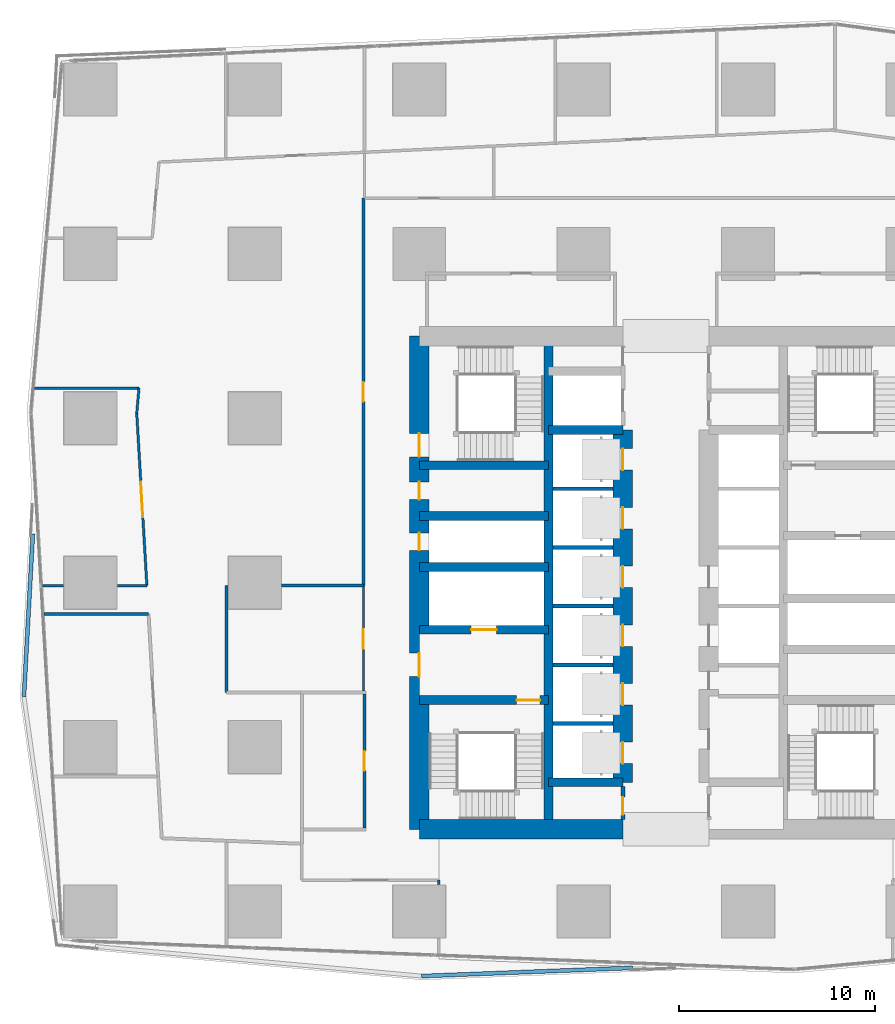
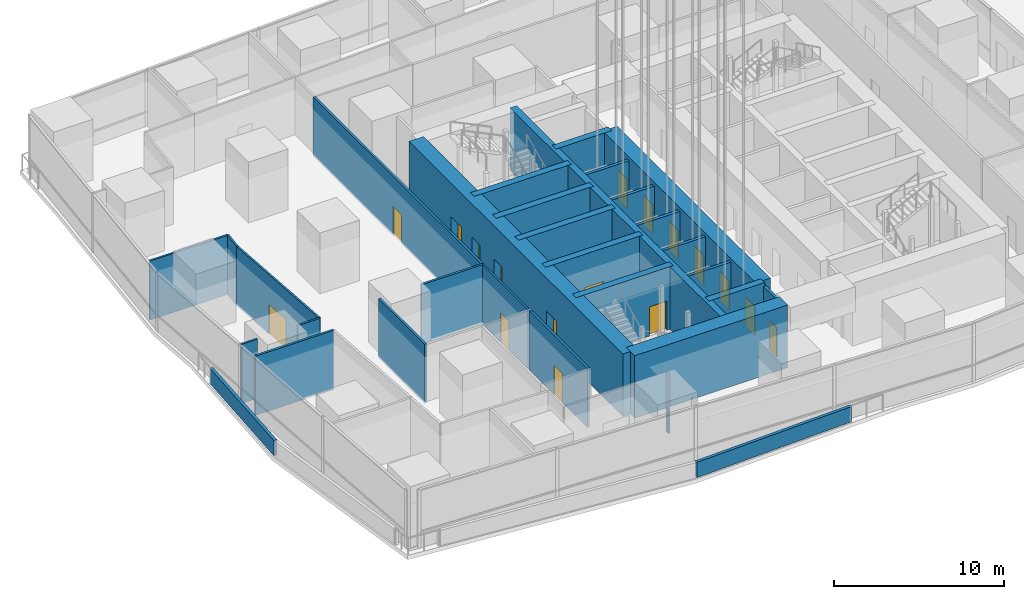
# One storey, part 15 of 39: 31 walls, 17 doors, 17 openings.
"""IFC4 building model written with IfcOpenShell, lengths in metres."""

from ifc_helpers import new_model, si_unit, direction, frame, frame_2d, origin, place, context, subcontext, project, spatial, rectangle, extrude, material, layer, layer_set, type_object, element, fill, save


model = new_model("IFC4")

# Units and contexts
model_context = context("Model", 3, precision=1e-05, world=origin(), true_north=direction((0.0, 1.0)))
body_context = subcontext(model_context, "Body", "Model", "MODEL_VIEW")
ifc_project = project(units=[si_unit("LENGTHUNIT", "METRE"), si_unit("AREAUNIT", "SQUARE_METRE"), si_unit("VOLUMEUNIT", "CUBIC_METRE"), si_unit("PLANEANGLEUNIT", "RADIAN"), si_unit("MASSUNIT", "GRAM", prefix="KILO")], contexts=[model_context])

# Site, building, storey
site_placement = place(None, origin())
site = spatial("IfcSite", under=ifc_project, at=site_placement, CompositionType="ELEMENT")
building_placement = place(site_placement, origin())
building = spatial("IfcBuilding", under=site, at=building_placement, Name="Rekha Terrace Tower", CompositionType="ELEMENT")
storey_placement = place(building_placement, frame((0.0, 0.0, 168.199951171875)))
storey = spatial("IfcBuildingStorey", under=building, at=storey_placement, Name="L42", CompositionType="ELEMENT", Elevation=168.199951171875)

# Walls
ifc_material_1 = material(Name="Concrete M60", Category="concrete")
ifc_layer_1 = layer(ifc_material_1, 0.449951171875)
ifc_layer_set_1 = layer_set([ifc_layer_1], Name="Concrete M60")
wall_type_1 = type_object("IfcWallType", Name="CI3 450 core internal shear wall", PredefinedType="SHEAR", material=ifc_layer_set_1)
wall_1_placement = place(storey_placement, frame((31.800048828125, 21.0, 0.0), z_axis=(0.0, 0.0, 1.0), x_axis=(0.0, 1.0, 0.0)))
element("IfcWall", 1, at=wall_1_placement, inside=storey, type_object=wall_type_1, Name="Core wall X318 L42", PredefinedType="SHEAR", context=body_context, shape_type="SweptSolid", body=[
    extrude(rectangle(XDim=25.199951171875, YDim=0.449951171875, at=frame_2d((12.60009765625, 0.0))), origin(), (0.0, 0.0, 1.0), 4.5),
])
for number, where, z_axis, x_axis, name in (
    (2, (31.800048828125, 23.39990234375, 0.0), (0.0, 0.0, 1.0), (1.0, 0.0, 0.0), "Core wall Y234W L42"),
    (3, (31.800048828125, 41.39990234375, 0.0), (0.0, 0.0, 1.0), (1.0, 0.0, 0.0), "Core wall Y414W L42"),
):
    element("IfcWall", number, at=place(storey_placement, frame(where, z_axis=z_axis, x_axis=x_axis)), inside=storey, type_object=wall_type_1, Name=name, PredefinedType="SHEAR", context=body_context, shape_type="SweptSolid", body=[
        extrude(rectangle(XDim=3.800048828125, YDim=0.449951171875, at=frame_2d((1.89990234375, 0.0))), origin(), (0.0, 0.0, 1.0), 4.5),
    ])

# Wall, opening, door
wall_2_placement = place(storey_placement, frame((25.199951171875, 27.60009765625, 0.0), z_axis=(0.0, 0.0, 1.0), x_axis=(1.0, 0.0, 0.0)))
wall_2 = element("IfcWall", 4, at=wall_2_placement, inside=storey, type_object=wall_type_1, Name="Core wall Y276W L42", PredefinedType="SHEAR", context=body_context, shape_type="SweptSolid", body=[
    extrude(rectangle(XDim=6.60009765625, YDim=0.449951171875, at=frame_2d((3.300048828125, 0.0))), origin(), (0.0, 0.0, 1.0), 4.5),
])
opening_1_placement = place(wall_2_placement, frame((4.97509765625, 0.0, 0.0)))
opening_1 = element("IfcOpeningElement", 5, at=opening_1_placement, cuts=wall_2, Name="Opening D1", PredefinedType="OPENING", context=body_context, shape_type="SweptSolid", body=[
    extrude(rectangle(XDim=1.199951171875, YDim=2.10009765625, at=frame_2d((0.60009765625, 1.050048828125))), frame((0.0, 0.23486328125, 0.0), z_axis=(0.0, -1.0, 0.0), x_axis=(1.0, 0.0, 0.0)), (0.0, 0.0, 1.0), 0.469970703125),
])
ifc_material_2 = material(Name="Steel fire door", Category="steel")
door_type_1 = type_object("IfcDoorType", Name="D1 1200x2100 stair fire door", OperationType="SINGLE_SWING_RIGHT", PredefinedType="DOOR", material=ifc_material_2)
door_1_placement = place(opening_1_placement, origin())
door_1 = element("IfcDoor", 6, at=door_1_placement, inside=storey, type_object=door_type_1, Name="Stair ST1 door L42", OperationType="SINGLE_SWING_RIGHT", OverallHeight=2.10009765625, OverallWidth=1.199951171875, PredefinedType="DOOR", context=body_context, shape_type="SweptSolid", body=[
    extrude(rectangle(XDim=1.199951171875, YDim=2.10009765625, at=frame_2d((0.60009765625, 1.050048828125))), frame((0.0, 0.02490234375, 0.0), z_axis=(0.0, -1.0, 0.0), x_axis=(1.0, 0.0, 0.0)), (0.0, 0.0, 1.0), 0.050048828125),
])
fill(opening_1, door_1)

wall_3_placement = place(storey_placement, frame((25.199951171875, 31.199951171875, 0.0), z_axis=(0.0, 0.0, 1.0), x_axis=(1.0, 0.0, 0.0)))
wall_3 = element("IfcWall", 7, at=wall_3_placement, inside=storey, type_object=wall_type_1, Name="Core wall Y312W L42", PredefinedType="SHEAR", context=body_context, shape_type="SweptSolid", body=[
    extrude(rectangle(XDim=6.60009765625, YDim=0.449951171875, at=frame_2d((3.300048828125, 0.0))), origin(), (0.0, 0.0, 1.0), 4.5),
])
opening_2_placement = place(wall_3_placement, frame((2.64990234375, 0.0, 0.0)))
opening_2 = element("IfcOpeningElement", 8, at=opening_2_placement, cuts=wall_3, Name="Opening LD2", PredefinedType="OPENING", context=body_context, shape_type="SweptSolid", body=[
    extrude(rectangle(XDim=1.300048828125, YDim=2.10009765625, at=frame_2d((0.64990234375, 1.050048828125))), frame((0.0, 0.23486328125, 0.0), z_axis=(0.0, -1.0, 0.0), x_axis=(1.0, 0.0, 0.0)), (0.0, 0.0, 1.0), 0.469970703125),
])
ifc_material_3 = material(Name="Stainless steel sliding landing door", Category="steel")
door_type_2 = type_object("IfcDoorType", Name="LD2 1300x2100 fire lift landing door", OperationType="SLIDING_TO_LEFT", PredefinedType="USERDEFINED", material=ifc_material_3)
door_2_placement = place(opening_2_placement, origin())
door_2 = element("IfcDoor", 9, at=door_2_placement, inside=storey, type_object=door_type_2, Name="Lift FL1 landing door L42", ObjectType="LIFT LANDING DOOR", OperationType="SLIDING_TO_LEFT", OverallHeight=2.10009765625, OverallWidth=1.300048828125, PredefinedType="USERDEFINED", context=body_context, shape_type="SweptSolid", body=[
    extrude(rectangle(XDim=1.300048828125, YDim=2.10009765625, at=frame_2d((0.64990234375, 1.050048828125))), frame((0.0, 0.02490234375, 0.0), z_axis=(0.0, -1.0, 0.0), x_axis=(1.0, 0.0, 0.0)), (0.0, 0.0, 1.0), 0.050048828125),
])
fill(opening_2, door_2)

# Walls
for number, where, z_axis, x_axis, name in (
    (10, (25.199951171875, 34.39990234375, 0.0), (0.0, 0.0, 1.0), (1.0, 0.0, 0.0), "Core wall Y344W L42"),
    (11, (25.199951171875, 37.0, 0.0), (0.0, 0.0, 1.0), (1.0, 0.0, 0.0), "Core wall Y370W L42"),
    (12, (25.199951171875, 39.60009765625, 0.0), (0.0, 0.0, 1.0), (1.0, 0.0, 0.0), "Core wall Y396W L42"),
):
    element("IfcWall", number, at=place(storey_placement, frame(where, z_axis=z_axis, x_axis=x_axis)), inside=storey, type_object=wall_type_1, Name=name, PredefinedType="SHEAR", context=body_context, shape_type="SweptSolid", body=[
        extrude(rectangle(XDim=6.60009765625, YDim=0.449951171875, at=frame_2d((3.300048828125, 0.0))), origin(), (0.0, 0.0, 1.0), 4.5),
    ])

# Wall, openings, doors
ifc_layer_2 = layer(ifc_material_1, 1.0)
ifc_layer_set_2 = layer_set([ifc_layer_2], Name="Concrete M60")
wall_type_2 = type_object("IfcWallType", Name="LW3 1000 core lobby wall at an outrigger level", PredefinedType="SHEAR", material=ifc_layer_set_2)
wall_4_placement = place(storey_placement, frame((35.60009765625, 23.39990234375, 0.0), z_axis=(0.0, 0.0, 1.0), x_axis=(0.0, 1.0, 0.0)))
wall_4 = element("IfcWall", 13, at=wall_4_placement, inside=storey, type_object=wall_type_2, Name="Core wall X356 L42", PredefinedType="SHEAR", context=body_context, shape_type="SweptSolid", body=[
    extrude(rectangle(XDim=18.0, YDim=1.0, at=frame_2d((9.0, 0.0))), origin(), (0.0, 0.0, 1.0), 4.5),
])
opening_3_placement = place(wall_4_placement, frame((0.949951171875, 0.0, 0.0)))
opening_3 = element("IfcOpeningElement", 14, at=opening_3_placement, cuts=wall_4, Name="Opening LD1", PredefinedType="OPENING", context=body_context, shape_type="SweptSolid", body=[
    extrude(rectangle(XDim=1.10009765625, YDim=2.10009765625, at=frame_2d((0.550048828125, 1.050048828125))), frame((0.0, 0.510009765625, 0.0), z_axis=(0.0, -1.0, 0.0), x_axis=(1.0, 0.0, 0.0)), (0.0, 0.0, 1.0), 1.02001953125),
])
opening_4_placement = place(wall_4_placement, frame((3.949951171875, 0.0, 0.0)))
opening_4 = element("IfcOpeningElement", 15, at=opening_4_placement, cuts=wall_4, Name="Opening LD1", PredefinedType="OPENING", context=body_context, shape_type="SweptSolid", body=[
    extrude(rectangle(XDim=1.10009765625, YDim=2.10009765625, at=frame_2d((0.550048828125, 1.050048828125))), frame((0.0, 0.510009765625, 0.0), z_axis=(0.0, -1.0, 0.0), x_axis=(1.0, 0.0, 0.0)), (0.0, 0.0, 1.0), 1.02001953125),
])
opening_5_placement = place(wall_4_placement, frame((6.949951171875, 0.0, 0.0)))
opening_5 = element("IfcOpeningElement", 16, at=opening_5_placement, cuts=wall_4, Name="Opening LD1", PredefinedType="OPENING", context=body_context, shape_type="SweptSolid", body=[
    extrude(rectangle(XDim=1.10009765625, YDim=2.10009765625, at=frame_2d((0.550048828125, 1.050048828125))), frame((0.0, 0.510009765625, 0.0), z_axis=(0.0, -1.0, 0.0), x_axis=(1.0, 0.0, 0.0)), (0.0, 0.0, 1.0), 1.02001953125),
])
opening_6_placement = place(wall_4_placement, frame((9.949951171875, 0.0, 0.0)))
opening_6 = element("IfcOpeningElement", 17, at=opening_6_placement, cuts=wall_4, Name="Opening LD1", PredefinedType="OPENING", context=body_context, shape_type="SweptSolid", body=[
    extrude(rectangle(XDim=1.10009765625, YDim=2.10009765625, at=frame_2d((0.550048828125, 1.050048828125))), frame((0.0, 0.510009765625, 0.0), z_axis=(0.0, -1.0, 0.0), x_axis=(1.0, 0.0, 0.0)), (0.0, 0.0, 1.0), 1.02001953125),
])
opening_7_placement = place(wall_4_placement, frame((12.949951171875, 0.0, 0.0)))
opening_7 = element("IfcOpeningElement", 18, at=opening_7_placement, cuts=wall_4, Name="Opening LD1", PredefinedType="OPENING", context=body_context, shape_type="SweptSolid", body=[
    extrude(rectangle(XDim=1.10009765625, YDim=2.10009765625, at=frame_2d((0.550048828125, 1.050048828125))), frame((0.0, 0.510009765625, 0.0), z_axis=(0.0, -1.0, 0.0), x_axis=(1.0, 0.0, 0.0)), (0.0, 0.0, 1.0), 1.02001953125),
])
opening_8_placement = place(wall_4_placement, frame((15.949951171875, 0.0, 0.0)))
opening_8 = element("IfcOpeningElement", 19, at=opening_8_placement, cuts=wall_4, Name="Opening LD1", PredefinedType="OPENING", context=body_context, shape_type="SweptSolid", body=[
    extrude(rectangle(XDim=1.10009765625, YDim=2.10009765625, at=frame_2d((0.550048828125, 1.050048828125))), frame((0.0, 0.510009765625, 0.0), z_axis=(0.0, -1.0, 0.0), x_axis=(1.0, 0.0, 0.0)), (0.0, 0.0, 1.0), 1.02001953125),
])
door_type_3 = type_object("IfcDoorType", Name="LD1 1100x2100 lift landing door", OperationType="SLIDING_TO_LEFT", PredefinedType="USERDEFINED", material=ifc_material_3)
door_3_placement = place(opening_3_placement, origin())
door_3 = element("IfcDoor", 20, at=door_3_placement, inside=storey, type_object=door_type_3, Name="Lift C1 landing door L42", ObjectType="LIFT LANDING DOOR", OperationType="SLIDING_TO_LEFT", OverallHeight=2.10009765625, OverallWidth=1.10009765625, PredefinedType="USERDEFINED", context=body_context, shape_type="SweptSolid", body=[
    extrude(rectangle(XDim=1.10009765625, YDim=2.10009765625, at=frame_2d((0.550048828125, 1.050048828125))), frame((0.0, 0.02490234375, 0.0), z_axis=(0.0, -1.0, 0.0), x_axis=(1.0, 0.0, 0.0)), (0.0, 0.0, 1.0), 0.050048828125),
])
fill(opening_3, door_3)
door_4_placement = place(opening_4_placement, origin())
door_4 = element("IfcDoor", 21, at=door_4_placement, inside=storey, type_object=door_type_3, Name="Lift C2 landing door L42", ObjectType="LIFT LANDING DOOR", OperationType="SLIDING_TO_LEFT", OverallHeight=2.10009765625, OverallWidth=1.10009765625, PredefinedType="USERDEFINED", context=body_context, shape_type="SweptSolid", body=[
    extrude(rectangle(XDim=1.10009765625, YDim=2.10009765625, at=frame_2d((0.550048828125, 1.050048828125))), frame((0.0, 0.02490234375, 0.0), z_axis=(0.0, -1.0, 0.0), x_axis=(1.0, 0.0, 0.0)), (0.0, 0.0, 1.0), 0.050048828125),
])
fill(opening_4, door_4)
door_5_placement = place(opening_5_placement, origin())
door_5 = element("IfcDoor", 22, at=door_5_placement, inside=storey, type_object=door_type_3, Name="Lift C3 landing door L42", ObjectType="LIFT LANDING DOOR", OperationType="SLIDING_TO_LEFT", OverallHeight=2.10009765625, OverallWidth=1.10009765625, PredefinedType="USERDEFINED", context=body_context, shape_type="SweptSolid", body=[
    extrude(rectangle(XDim=1.10009765625, YDim=2.10009765625, at=frame_2d((0.550048828125, 1.050048828125))), frame((0.0, 0.02490234375, 0.0), z_axis=(0.0, -1.0, 0.0), x_axis=(1.0, 0.0, 0.0)), (0.0, 0.0, 1.0), 0.050048828125),
])
fill(opening_5, door_5)
door_6_placement = place(opening_6_placement, origin())
door_6 = element("IfcDoor", 23, at=door_6_placement, inside=storey, type_object=door_type_3, Name="Lift C4 landing door L42", ObjectType="LIFT LANDING DOOR", OperationType="SLIDING_TO_LEFT", OverallHeight=2.10009765625, OverallWidth=1.10009765625, PredefinedType="USERDEFINED", context=body_context, shape_type="SweptSolid", body=[
    extrude(rectangle(XDim=1.10009765625, YDim=2.10009765625, at=frame_2d((0.550048828125, 1.050048828125))), frame((0.0, 0.02490234375, 0.0), z_axis=(0.0, -1.0, 0.0), x_axis=(1.0, 0.0, 0.0)), (0.0, 0.0, 1.0), 0.050048828125),
])
fill(opening_6, door_6)
door_7_placement = place(opening_7_placement, origin())
door_7 = element("IfcDoor", 24, at=door_7_placement, inside=storey, type_object=door_type_3, Name="Lift C5 landing door L42", ObjectType="LIFT LANDING DOOR", OperationType="SLIDING_TO_LEFT", OverallHeight=2.10009765625, OverallWidth=1.10009765625, PredefinedType="USERDEFINED", context=body_context, shape_type="SweptSolid", body=[
    extrude(rectangle(XDim=1.10009765625, YDim=2.10009765625, at=frame_2d((0.550048828125, 1.050048828125))), frame((0.0, 0.02490234375, 0.0), z_axis=(0.0, -1.0, 0.0), x_axis=(1.0, 0.0, 0.0)), (0.0, 0.0, 1.0), 0.050048828125),
])
fill(opening_7, door_7)
door_8_placement = place(opening_8_placement, origin())
door_8 = element("IfcDoor", 25, at=door_8_placement, inside=storey, type_object=door_type_3, Name="Lift C6 landing door L42", ObjectType="LIFT LANDING DOOR", OperationType="SLIDING_TO_LEFT", OverallHeight=2.10009765625, OverallWidth=1.10009765625, PredefinedType="USERDEFINED", context=body_context, shape_type="SweptSolid", body=[
    extrude(rectangle(XDim=1.10009765625, YDim=2.10009765625, at=frame_2d((0.550048828125, 1.050048828125))), frame((0.0, 0.02490234375, 0.0), z_axis=(0.0, -1.0, 0.0), x_axis=(1.0, 0.0, 0.0)), (0.0, 0.0, 1.0), 0.050048828125),
])
fill(opening_8, door_8)

# Walls
ifc_material_4 = material(Name="Concrete M40", Category="concrete")
ifc_layer_3 = layer(ifc_material_4, 0.199951171875)
ifc_layer_set_3 = layer_set([ifc_layer_3], Name="Concrete M40")
wall_type_3 = type_object("IfcWallType", Name="PP1 parapet wall 200", PredefinedType="PARAPET", material=ifc_layer_set_3)
wall_5_placement = place(storey_placement, frame((5.456787109375, 36.095947265625, 0.0), z_axis=(0.0, 0.0, 1.0), x_axis=(-0.05473645857, -0.998500836306, 0.0)))
element("IfcWall", 26, at=wall_5_placement, inside=storey, type_object=wall_type_3, Name="Ledge parapet", PredefinedType="PARAPET", context=body_context, shape_type="SweptSolid", body=[
    extrude(rectangle(XDim=8.331787109375, YDim=0.199951171875, at=frame_2d((4.166015625, 0.0))), origin(), (0.0, 0.0, 1.0), 1.10009765625),
])
wall_6_placement = place(storey_placement, frame((25.3251953125, 13.500244140625, 0.0), z_axis=(0.0, 0.0, 1.0), x_axis=(0.999243289586, 0.03889534955, 0.0)))
element("IfcWall", 27, at=wall_6_placement, inside=storey, type_object=wall_type_3, Name="Ledge parapet", PredefinedType="PARAPET", context=body_context, shape_type="SweptSolid", body=[
    extrude(rectangle(XDim=10.77099609375, YDim=0.199951171875, at=frame_2d((5.385498046875, 0.0))), origin(), (0.0, 0.0, 1.0), 1.10009765625),
])
ifc_layer_4 = layer(ifc_material_1, 1.0)
ifc_layer_set_4 = layer_set([ifc_layer_4], Name="Concrete M60")
wall_type_4 = type_object("IfcWallType", Name="SW3 1000 core outer shear wall", PredefinedType="SHEAR", material=ifc_layer_set_4)
wall_7_placement = place(storey_placement, frame((25.199951171875, 21.0, 0.0), z_axis=(0.0, 0.0, 1.0), x_axis=(1.0, 0.0, 0.0)))
element("IfcWall", 28, at=wall_7_placement, inside=storey, type_object=wall_type_4, Name="Core wall S1 L42", PredefinedType="SHEAR", context=body_context, shape_type="SweptSolid", body=[
    extrude(rectangle(XDim=10.400146484375, YDim=1.0, at=frame_2d((5.2001953125, 0.0))), origin(), (0.0, 0.0, 1.0), 4.5),
])

# Wall, openings, doors
wall_8_placement = place(storey_placement, frame((25.199951171875, 21.0, 0.0), z_axis=(0.0, 0.0, 1.0), x_axis=(0.0, 1.0, 0.0)))
wall_8 = element("IfcWall", 29, at=wall_8_placement, inside=storey, type_object=wall_type_4, Name="Core wall W L42", PredefinedType="SHEAR", context=body_context, shape_type="SweptSolid", body=[
    extrude(rectangle(XDim=25.199951171875, YDim=1.0, at=frame_2d((12.60009765625, 0.0))), origin(), (0.0, 0.0, 1.0), 4.5),
])
opening_9_placement = place(wall_8_placement, frame((7.800048828125, 0.0, 0.0)))
opening_9 = element("IfcOpeningElement", 30, at=opening_9_placement, cuts=wall_8, Name="Opening D2", PredefinedType="OPENING", context=body_context, shape_type="SweptSolid", body=[
    extrude(rectangle(XDim=1.199951171875, YDim=2.10009765625, at=frame_2d((0.60009765625, 1.050048828125))), frame((0.0, 0.510009765625, 0.0), z_axis=(0.0, -1.0, 0.0), x_axis=(1.0, 0.0, 0.0)), (0.0, 0.0, 1.0), 1.02001953125),
])
opening_10_placement = place(wall_8_placement, frame((14.25, 0.0, 0.0)))
opening_10 = element("IfcOpeningElement", 31, at=opening_10_placement, cuts=wall_8, Name="Opening D5", PredefinedType="OPENING", context=body_context, shape_type="SweptSolid", body=[
    extrude(rectangle(XDim=0.89990234375, YDim=2.10009765625, at=frame_2d((0.449951171875, 1.050048828125))), frame((0.0, 0.510009765625, 0.0), z_axis=(0.0, -1.0, 0.0), x_axis=(1.0, 0.0, 0.0)), (0.0, 0.0, 1.0), 1.02001953125),
])
opening_11_placement = place(wall_8_placement, frame((16.85009765625, 0.0, 0.0)))
opening_11 = element("IfcOpeningElement", 32, at=opening_11_placement, cuts=wall_8, Name="Opening D5", PredefinedType="OPENING", context=body_context, shape_type="SweptSolid", body=[
    extrude(rectangle(XDim=0.89990234375, YDim=2.10009765625, at=frame_2d((0.449951171875, 1.050048828125))), frame((0.0, 0.510009765625, 0.0), z_axis=(0.0, -1.0, 0.0), x_axis=(1.0, 0.0, 0.0)), (0.0, 0.0, 1.0), 1.02001953125),
])
opening_12_placement = place(wall_8_placement, frame((19.02490234375, 0.0, 0.0)))
opening_12 = element("IfcOpeningElement", 33, at=opening_12_placement, cuts=wall_8, Name="Opening D1", PredefinedType="OPENING", context=body_context, shape_type="SweptSolid", body=[
    extrude(rectangle(XDim=1.199951171875, YDim=2.10009765625, at=frame_2d((0.60009765625, 1.050048828125))), frame((0.0, 0.510009765625, 0.0), z_axis=(0.0, -1.0, 0.0), x_axis=(1.0, 0.0, 0.0)), (0.0, 0.0, 1.0), 1.02001953125),
])
door_9_placement = place(opening_12_placement, origin())
door_9 = element("IfcDoor", 34, at=door_9_placement, inside=storey, type_object=door_type_1, Name="Stair ST4 door L42", OperationType="SINGLE_SWING_RIGHT", OverallHeight=2.10009765625, OverallWidth=1.199951171875, PredefinedType="DOOR", context=body_context, shape_type="SweptSolid", body=[
    extrude(rectangle(XDim=1.199951171875, YDim=2.10009765625, at=frame_2d((0.60009765625, 1.050048828125))), frame((0.0, 0.02490234375, 0.0), z_axis=(0.0, -1.0, 0.0), x_axis=(1.0, 0.0, 0.0)), (0.0, 0.0, 1.0), 0.050048828125),
])
fill(opening_12, door_9)
door_type_4 = type_object("IfcDoorType", Name="D2 1200x2100 firefighting lobby door", OperationType="SINGLE_SWING_LEFT", PredefinedType="DOOR", material=ifc_material_2)
door_10_placement = place(opening_9_placement, origin())
door_10 = element("IfcDoor", 35, at=door_10_placement, inside=storey, type_object=door_type_4, Name="Door flb1 L42", OperationType="SINGLE_SWING_LEFT", OverallHeight=2.10009765625, OverallWidth=1.199951171875, PredefinedType="DOOR", context=body_context, shape_type="SweptSolid", body=[
    extrude(rectangle(XDim=1.199951171875, YDim=2.10009765625, at=frame_2d((0.60009765625, 1.050048828125))), frame((0.0, 0.02490234375, 0.0), z_axis=(0.0, -1.0, 0.0), x_axis=(1.0, 0.0, 0.0)), (0.0, 0.0, 1.0), 0.050048828125),
])
fill(opening_9, door_10)
door_type_5 = type_object("IfcDoorType", Name="D5 900x2100 riser access door", OperationType="SINGLE_SWING_LEFT", PredefinedType="DOOR", material=ifc_material_2)
door_11_placement = place(opening_10_placement, origin())
door_11 = element("IfcDoor", 36, at=door_11_placement, inside=storey, type_object=door_type_5, Name="Door rs1 L42", OperationType="SINGLE_SWING_LEFT", OverallHeight=2.10009765625, OverallWidth=0.89990234375, PredefinedType="DOOR", context=body_context, shape_type="SweptSolid", body=[
    extrude(rectangle(XDim=0.89990234375, YDim=2.10009765625, at=frame_2d((0.449951171875, 1.050048828125))), frame((0.0, 0.02490234375, 0.0), z_axis=(0.0, -1.0, 0.0), x_axis=(1.0, 0.0, 0.0)), (0.0, 0.0, 1.0), 0.050048828125),
])
fill(opening_10, door_11)
door_12_placement = place(opening_11_placement, origin())
door_12 = element("IfcDoor", 37, at=door_12_placement, inside=storey, type_object=door_type_5, Name="Door elw L42", OperationType="SINGLE_SWING_LEFT", OverallHeight=2.10009765625, OverallWidth=0.89990234375, PredefinedType="DOOR", context=body_context, shape_type="SweptSolid", body=[
    extrude(rectangle(XDim=0.89990234375, YDim=2.10009765625, at=frame_2d((0.449951171875, 1.050048828125))), frame((0.0, 0.02490234375, 0.0), z_axis=(0.0, -1.0, 0.0), x_axis=(1.0, 0.0, 0.0)), (0.0, 0.0, 1.0), 0.050048828125),
])
fill(opening_11, door_12)

# Wall, opening, door
ifc_material_5 = material(Name="Concrete block masonry, 1 hour", Category="masonry")
ifc_layer_5 = layer(ifc_material_5, 0.14990234375)
ifc_layer_set_5 = layer_set([ifc_layer_5], Name="Concrete block masonry, 1 hour")
wall_type_5 = type_object("IfcWallType", Name="WP2 150 tenancy partition", PredefinedType="PARTITIONING", material=ifc_layer_set_5)
wall_9_placement = place(storey_placement, frame((22.39990234375, 21.074951171875, 0.0), z_axis=(0.0, 0.0, 1.0), x_axis=(0.0, 1.0, 0.0)))
wall_9 = element("IfcWall", 38, at=wall_9_placement, inside=storey, type_object=wall_type_5, Name="Men's WC wall L42", PredefinedType="PARTITIONING", context=body_context, shape_type="SweptSolid", body=[
    extrude(rectangle(XDim=6.85009765625, YDim=0.14990234375, at=frame_2d((3.425048828125, 0.0))), origin(), (0.0, 0.0, 1.0), 4.25),
])
opening_13_placement = place(wall_9_placement, frame((2.925048828125, 0.0, 0.0)))
opening_13 = element("IfcOpeningElement", 39, at=opening_13_placement, cuts=wall_9, Name="Opening D3", PredefinedType="OPENING", context=body_context, shape_type="SweptSolid", body=[
    extrude(rectangle(XDim=1.0, YDim=2.10009765625, at=frame_2d((0.5, 1.050048828125))), frame((0.0, 0.0849609375, 0.0), z_axis=(0.0, -1.0, 0.0), x_axis=(1.0, 0.0, 0.0)), (0.0, 0.0, 1.0), 0.169921875),
])
ifc_material_6 = material(Name="Laminated timber fire door", Category="wood")
door_type_6 = type_object("IfcDoorType", Name="D3 1000x2100 WC door", OperationType="SINGLE_SWING_LEFT", PredefinedType="DOOR", material=ifc_material_6)
door_13_placement = place(opening_13_placement, origin())
door_13 = element("IfcDoor", 40, at=door_13_placement, inside=storey, type_object=door_type_6, Name="Door men's wc L42", OperationType="SINGLE_SWING_LEFT", OverallHeight=2.10009765625, OverallWidth=1.0, PredefinedType="DOOR", context=body_context, shape_type="SweptSolid", body=[
    extrude(rectangle(XDim=1.0, YDim=2.10009765625, at=frame_2d((0.5, 1.050048828125))), frame((0.0, 0.02490234375, 0.0), z_axis=(0.0, -1.0, 0.0), x_axis=(1.0, 0.0, 0.0)), (0.0, 0.0, 1.0), 0.050048828125),
])
fill(opening_13, door_13)

wall_10_placement = place(storey_placement, frame((22.35009765625, 53.25, 0.0), z_axis=(0.0, 0.0, 1.0), x_axis=(0.0, -1.0, 0.0)))
wall_10 = element("IfcWall", 41, at=wall_10_placement, inside=storey, type_object=wall_type_5, Name="Partition L42-O2b", PredefinedType="PARTITIONING", context=body_context, shape_type="SweptSolid", body=[
    extrude(rectangle(XDim=19.803955078125, YDim=0.14990234375, at=frame_2d((9.90185546875, 0.0))), origin(), (0.0, 0.0, 1.0), 4.25),
])
opening_14_placement = place(wall_10_placement, frame((9.402099609375, 0.0, 0.0)))
opening_14 = element("IfcOpeningElement", 42, at=opening_14_placement, cuts=wall_10, Name="Opening D9", PredefinedType="OPENING", context=body_context, shape_type="SweptSolid", body=[
    extrude(rectangle(XDim=1.0, YDim=2.10009765625, at=frame_2d((0.5, 1.050048828125))), frame((0.0, 0.0849609375, 0.0), z_axis=(0.0, -1.0, 0.0), x_axis=(1.0, 0.0, 0.0)), (0.0, 0.0, 1.0), 0.169921875),
])
ifc_material_7 = material(Name="Timber fire door", Category="wood")
door_type_7 = type_object("IfcDoorType", Name="D9 1000x2100 office door", OperationType="SINGLE_SWING_LEFT", PredefinedType="DOOR", material=ifc_material_7)
door_14_placement = place(opening_14_placement, origin())
door_14 = element("IfcDoor", 43, at=door_14_placement, inside=storey, type_object=door_type_7, Name="Door open-plan office L42", OperationType="SINGLE_SWING_LEFT", OverallHeight=2.10009765625, OverallWidth=1.0, PredefinedType="DOOR", context=body_context, shape_type="SweptSolid", body=[
    extrude(rectangle(XDim=1.0, YDim=2.10009765625, at=frame_2d((0.5, 1.050048828125))), frame((0.0, 0.02490234375, 0.0), z_axis=(0.0, -1.0, 0.0), x_axis=(1.0, 0.0, 0.0)), (0.0, 0.0, 1.0), 0.050048828125),
])
fill(opening_14, door_14)

# Walls
wall_11_placement = place(storey_placement, frame((22.35009765625, 33.446044921875, 0.0), z_axis=(0.0, 0.0, 1.0), x_axis=(-1.0, 0.0, 0.0)))
element("IfcWall", 44, at=wall_11_placement, inside=storey, type_object=wall_type_5, Name="Partition L42-O2b", PredefinedType="PARTITIONING", context=body_context, shape_type="SweptSolid", body=[
    extrude(rectangle(XDim=4.18017578125, YDim=0.14990234375, at=frame_2d((2.090087890625, 0.0))), origin(), (0.0, 0.0, 1.0), 4.25),
])
wall_12_placement = place(storey_placement, frame((15.340087890625, 33.446044921875, 0.0), z_axis=(0.0, 0.0, 1.0), x_axis=(0.0, -1.0, 0.0)))
element("IfcWall", 45, at=wall_12_placement, inside=storey, type_object=wall_type_5, Name="Partition L42-O2b", PredefinedType="PARTITIONING", context=body_context, shape_type="SweptSolid", body=[
    extrude(rectangle(XDim=5.446044921875, YDim=0.14990234375, at=frame_2d((2.72314453125, 0.0))), origin(), (0.0, 0.0, 1.0), 4.25),
])
wall_13_placement = place(storey_placement, frame((11.368896484375, 31.989990234375, 0.0), z_axis=(0.0, 0.0, 1.0), x_axis=(-1.0, 0.0, 0.0)))
element("IfcWall", 46, at=wall_13_placement, inside=storey, type_object=wall_type_5, Name="Partition L42-O2b", PredefinedType="PARTITIONING", context=body_context, shape_type="SweptSolid", body=[
    extrude(rectangle(XDim=5.329833984375, YDim=0.14990234375, at=frame_2d((2.6650390625, 0.0))), origin(), (0.0, 0.0, 1.0), 4.25),
])
ifc_material_8 = material(Name="Two layers of fire-rated gypsum board each side on steel studs, acoustic quilt, 1 hour", Category="steel")
ifc_layer_6 = layer(ifc_material_8, 0.125)
ifc_layer_set_6 = layer_set([ifc_layer_6], Name="Two layers of fire-rated gypsum board each side on steel studs, acoustic quilt, 1 hour")
wall_type_6 = type_object("IfcWallType", Name="WP3 125 office partition", PredefinedType="PARTITIONING", material=ifc_layer_set_6)
wall_14_placement = place(storey_placement, frame((11.282958984375, 33.446044921875, 0.0), z_axis=(0.0, 0.0, 1.0), x_axis=(-1.0, 0.0, 0.0)))
element("IfcWall", 47, at=wall_14_placement, inside=storey, type_object=wall_type_6, Name="Partition L42-12", PredefinedType="PARTITIONING", context=body_context, shape_type="SweptSolid", body=[
    extrude(rectangle(XDim=1.512939453125, YDim=0.125, at=frame_2d((0.75634765625, 0.0))), origin(), (0.0, 0.0, 1.0), 4.25),
])
wall_15_placement = place(storey_placement, frame((7.030029296875, 33.446044921875, 0.0), z_axis=(0.0, 0.0, 1.0), x_axis=(-1.0, 0.0, 0.0)))
element("IfcWall", 48, at=wall_15_placement, inside=storey, type_object=wall_type_6, Name="Partition L42-12", PredefinedType="PARTITIONING", context=body_context, shape_type="SweptSolid", body=[
    extrude(rectangle(XDim=1.075927734375, YDim=0.125, at=frame_2d((0.5380859375, 0.0))), origin(), (0.0, 0.0, 1.0), 4.25),
])
wall_16_placement = place(storey_placement, frame((5.5380859375, 43.541015625, 0.0), z_axis=(0.0, 0.0, 1.0), x_axis=(1.0, 0.0, 0.0)))
element("IfcWall", 49, at=wall_16_placement, inside=storey, type_object=wall_type_6, Name="Partition L42-12", PredefinedType="PARTITIONING", context=body_context, shape_type="SweptSolid", body=[
    extrude(rectangle(XDim=5.3408203125, YDim=0.125, at=frame_2d((2.67041015625, 0.0))), origin(), (0.0, 0.0, 1.0), 4.25),
])
wall_17_placement = place(storey_placement, frame((10.87890625, 43.541015625, 0.0), z_axis=(0.0, 0.0, 1.0), x_axis=(-0.08783891639, -0.996134692081, 0.0)))
element("IfcWall", 50, at=wall_17_placement, inside=storey, type_object=wall_type_6, Name="Partition L42-12", PredefinedType="PARTITIONING", context=body_context, shape_type="SweptSolid", body=[
    extrude(rectangle(XDim=1.298095703125, YDim=0.125, at=frame_2d((0.64892578125, 0.0))), origin(), (0.0, 0.0, 1.0), 4.25),
])

# Wall, opening, door
wall_18_placement = place(storey_placement, frame((10.764892578125, 42.248046875, 0.0), z_axis=(0.0, 0.0, 1.0), x_axis=(0.05875610806, -0.998272367526, 0.0)))
wall_18 = element("IfcWall", 51, at=wall_18_placement, inside=storey, type_object=wall_type_6, Name="Partition L42-12", PredefinedType="PARTITIONING", context=body_context, shape_type="SweptSolid", body=[
    extrude(rectangle(XDim=8.817138671875, YDim=0.125, at=frame_2d((4.40869140625, 0.0))), origin(), (0.0, 0.0, 1.0), 4.25),
])
opening_15_placement = place(wall_18_placement, frame((3.509033203125, 0.0, 0.0)))
opening_15 = element("IfcOpeningElement", 52, at=opening_15_placement, cuts=wall_18, Name="Opening D8", PredefinedType="OPENING", context=body_context, shape_type="SweptSolid", body=[
    extrude(rectangle(XDim=1.800048828125, YDim=2.10009765625, at=frame_2d((0.89990234375, 1.050048828125))), frame((0.0, 0.072509765625, 0.0), z_axis=(0.0, -1.0, 0.0), x_axis=(1.0, 0.0, 0.0)), (0.0, 0.0, 1.0), 0.14501953125),
])
door_type_8 = type_object("IfcDoorType", Name="D8 1800x2100 double leaf door", OperationType="DOUBLE_DOOR_SINGLE_SWING", PredefinedType="DOOR", material=ifc_material_7)
door_15_placement = place(opening_15_placement, origin())
door_15 = element("IfcDoor", 53, at=door_15_placement, inside=storey, type_object=door_type_8, Name="Door meeting room L42", OperationType="DOUBLE_DOOR_SINGLE_SWING", OverallHeight=2.10009765625, OverallWidth=1.800048828125, PredefinedType="DOOR", context=body_context, shape_type="SweptSolid", body=[
    extrude(rectangle(XDim=1.800048828125, YDim=2.10009765625, at=frame_2d((0.89990234375, 1.050048828125))), frame((0.0, 0.02490234375, 0.0), z_axis=(0.0, -1.0, 0.0), x_axis=(1.0, 0.0, 0.0)), (0.0, 0.0, 1.0), 0.050048828125),
])
fill(opening_15, door_15)

# Wall
wall_19_placement = place(storey_placement, frame((26.198974609375, 18.39990234375, 0.0), z_axis=(0.0, 0.0, 1.0), x_axis=(0.0, -1.0, 0.0)))
element("IfcWall", 54, at=wall_19_placement, inside=storey, type_object=wall_type_6, Name="Partition L42-15", PredefinedType="PARTITIONING", context=body_context, shape_type="SweptSolid", body=[
    extrude(rectangle(XDim=0.22998046875, YDim=0.125, at=frame_2d((0.114990234375, 0.0))), origin(), (0.0, 0.0, 1.0), 4.25),
])

# Wall, opening, door
wall_20_placement = place(storey_placement, frame((22.35009765625, 33.445068359375, 0.0), z_axis=(0.0, 0.0, 1.0), x_axis=(0.0, -1.0, 0.0)))
wall_20 = element("IfcWall", 55, at=wall_20_placement, inside=storey, type_object=wall_type_6, Name="Partition L42-16", PredefinedType="PARTITIONING", context=body_context, shape_type="SweptSolid", body=[
    extrude(rectangle(XDim=5.3701171875, YDim=0.125, at=frame_2d((2.68505859375, 0.0))), origin(), (0.0, 0.0, 1.0), 4.25),
])
opening_16_placement = place(wall_20_placement, frame((2.222900390625, 0.0, 0.0)))
opening_16 = element("IfcOpeningElement", 56, at=opening_16_placement, cuts=wall_20, Name="Opening D9", PredefinedType="OPENING", context=body_context, shape_type="SweptSolid", body=[
    extrude(rectangle(XDim=1.0, YDim=2.10009765625, at=frame_2d((0.5, 1.050048828125))), frame((0.0, 0.072509765625, 0.0), z_axis=(0.0, -1.0, 0.0), x_axis=(1.0, 0.0, 0.0)), (0.0, 0.0, 1.0), 0.14501953125),
])
door_16_placement = place(opening_16_placement, origin())
door_16 = element("IfcDoor", 57, at=door_16_placement, inside=storey, type_object=door_type_7, Name="Door reception L42", OperationType="SINGLE_SWING_LEFT", OverallHeight=2.10009765625, OverallWidth=1.0, PredefinedType="DOOR", context=body_context, shape_type="SweptSolid", body=[
    extrude(rectangle(XDim=1.0, YDim=2.10009765625, at=frame_2d((0.5, 1.050048828125))), frame((0.0, 0.02490234375, 0.0), z_axis=(0.0, -1.0, 0.0), x_axis=(1.0, 0.0, 0.0)), (0.0, 0.0, 1.0), 0.050048828125),
])
fill(opening_16, door_16)

# Walls
ifc_material_9 = material(Name="Solid concrete block masonry, 2 hour", Category="masonry")
ifc_layer_7 = layer(ifc_material_9, 0.199951171875)
ifc_layer_set_7 = layer_set([ifc_layer_7], Name="Solid concrete block masonry, 2 hour")
wall_type_7 = type_object("IfcWallType", Name="WS1 200 stair and shaft enclosure", PredefinedType="PARTITIONING", material=ifc_layer_set_7)
for number, where, z_axis, x_axis, name in (
    (58, (32.02490234375, 26.39990234375, 0.0), (0.0, 0.0, 1.0), (1.0, 0.0, 0.0), "Lift shaft divider L42"),
    (59, (32.02490234375, 29.39990234375, 0.0), (0.0, 0.0, 1.0), (1.0, 0.0, 0.0), "Lift shaft divider L42"),
    (60, (32.02490234375, 32.39990234375, 0.0), (0.0, 0.0, 1.0), (1.0, 0.0, 0.0), "Lift shaft divider L42"),
    (61, (32.02490234375, 35.39990234375, 0.0), (0.0, 0.0, 1.0), (1.0, 0.0, 0.0), "Lift shaft divider L42"),
    (62, (32.02490234375, 38.39990234375, 0.0), (0.0, 0.0, 1.0), (1.0, 0.0, 0.0), "Lift shaft divider L42"),
):
    element("IfcWall", number, at=place(storey_placement, frame(where, z_axis=z_axis, x_axis=x_axis)), inside=storey, type_object=wall_type_7, Name=name, PredefinedType="PARTITIONING", context=body_context, shape_type="SweptSolid", body=[
        extrude(rectangle(XDim=3.0751953125, YDim=0.199951171875, at=frame_2d((1.53759765625, 0.0))), origin(), (0.0, 0.0, 1.0), 4.25),
    ])

# Wall, opening, door
wall_21_placement = place(storey_placement, frame((35.60009765625, 21.5, 0.0), z_axis=(0.0, 0.0, 1.0), x_axis=(0.0, 1.0, 0.0)))
wall_21 = element("IfcWall", 63, at=wall_21_placement, inside=storey, type_object=wall_type_7, Name="Core partition west L42", PredefinedType="PARTITIONING", context=body_context, shape_type="SweptSolid", body=[
    extrude(rectangle(XDim=1.675048828125, YDim=0.199951171875, at=frame_2d((0.83740234375, 0.0))), origin(), (0.0, 0.0, 1.0), 4.25),
])
opening_17_placement = place(wall_21_placement, frame((0.25, 0.0, 0.0)))
opening_17 = element("IfcOpeningElement", 64, at=opening_17_placement, cuts=wall_21, Name="Opening D5", PredefinedType="OPENING", context=body_context, shape_type="SweptSolid", body=[
    extrude(rectangle(XDim=0.89990234375, YDim=2.10009765625, at=frame_2d((0.449951171875, 1.050048828125))), frame((0.0, 0.10986328125, 0.0), z_axis=(0.0, -1.0, 0.0), x_axis=(1.0, 0.0, 0.0)), (0.0, 0.0, 1.0), 0.219970703125),
])
door_17_placement = place(opening_17_placement, origin())
door_17 = element("IfcDoor", 65, at=door_17_placement, inside=storey, type_object=door_type_5, Name="Door cleaner's store L42", OperationType="SINGLE_SWING_LEFT", OverallHeight=2.10009765625, OverallWidth=0.89990234375, PredefinedType="DOOR", context=body_context, shape_type="SweptSolid", body=[
    extrude(rectangle(XDim=0.89990234375, YDim=2.10009765625, at=frame_2d((0.449951171875, 1.050048828125))), frame((0.0, 0.02490234375, 0.0), z_axis=(0.0, -1.0, 0.0), x_axis=(1.0, 0.0, 0.0)), (0.0, 0.0, 1.0), 0.050048828125),
])
fill(opening_17, door_17)

save(model, "model.ifc")
